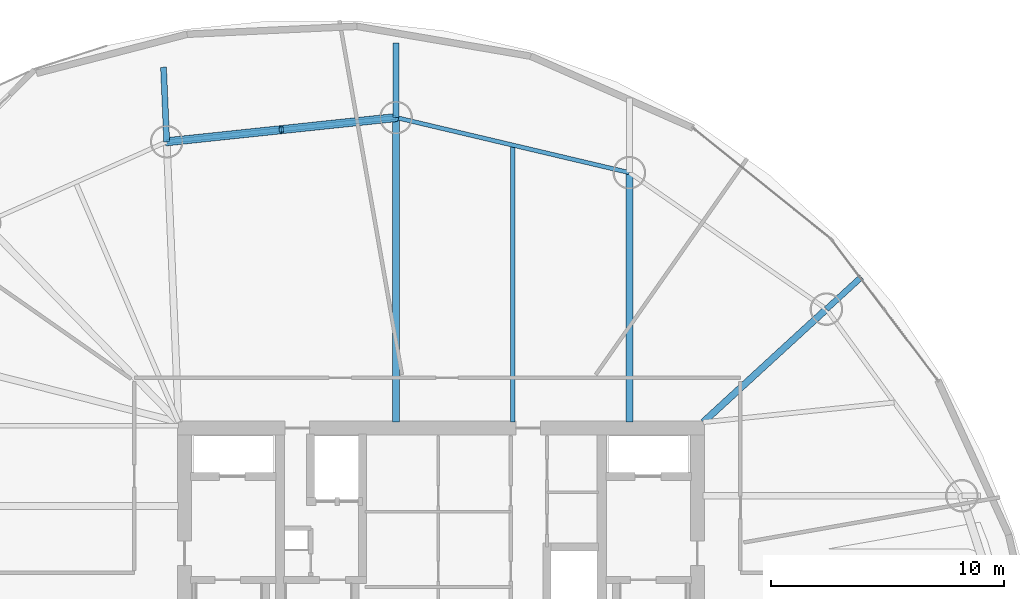
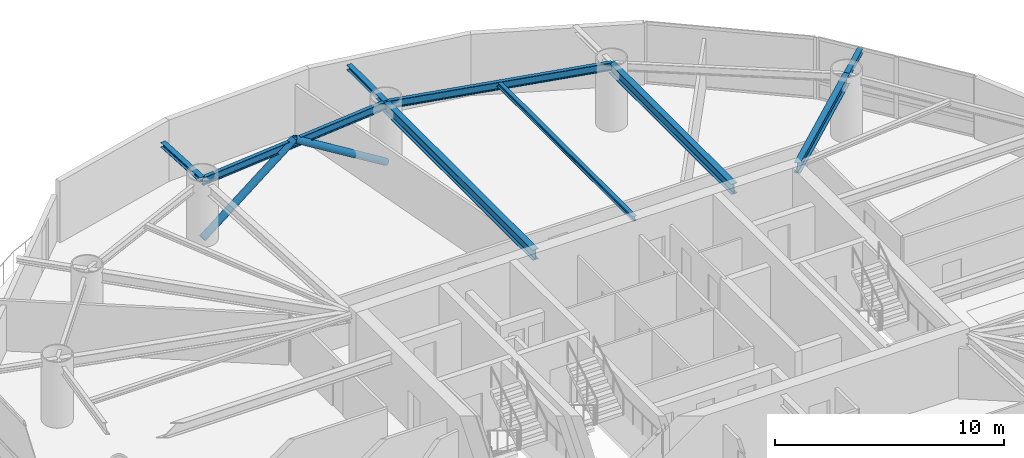
# One storey, part 12 of 20: 9 beams, 2 members.
"""IFC4 building model written with IfcOpenShell, lengths in metres."""

import ifcopenshell
import ifcopenshell.guid

model = None  # the IFC model being written
_history = None  # IfcOwnerHistory: only IFC2X3 demands one
_inside = {}  # id of a spatial element -> (the spatial element, [elements in it])
_under = {}  # id of a project, library or spatial element -> (it, [spatial elements below it])
_declared = {}  # id of a project -> (the project, [libraries it declares])
_typed = {}  # id of a type object -> (the type object, [elements of that type])
_made_of = {}  # id of a material, layer set ... -> (it, [elements and type objects made of it])


def new_model(schema):
    """Start an empty IFC model of exactly this schema.

    Asked for "IFC4X3", IfcOpenShell would pick the latest addendum, in which some entities
    have other attributes; the version numbers below select the first issue.
    IFC2X3 requires an IfcOwnerHistory on every rooted entity: one is made here for all.
    """
    global model, _history
    if schema == "IFC4X3":
        model = ifcopenshell.file(schema_version=(4, 3, 0, 0))
    else:
        model = ifcopenshell.file(schema=schema)
    _inside.clear()
    _under.clear()
    _declared.clear()
    _typed.clear()
    _made_of.clear()
    _history = None
    if model.schema == "IFC2X3":
        org = make("IfcOrganization", Name="unknown")
        user = make(
            "IfcPersonAndOrganization",
            ThePerson=make("IfcPerson", FamilyName="unknown"),
            TheOrganization=org,
        )
        app = make(
            "IfcApplication",
            ApplicationDeveloper=org,
            Version="unknown",
            ApplicationFullName="unknown",
            ApplicationIdentifier="unknown",
        )
        _history = make(
            "IfcOwnerHistory",
            OwningUser=user,
            OwningApplication=app,
            ChangeAction="ADDED",
            CreationDate=0,
        )
    return model


def make(cls, **values):
    """One entity of the class cls with the attributes given. An attribute that is None is left unset."""
    return model.create_entity(
        cls, **{name: value for name, value in values.items() if value is not None}
    )


def rooted(cls, **values):
    """An entity with a GlobalId (a new one), such as an element, a storey or a relation."""
    return make(cls, GlobalId=ifcopenshell.guid.new(), OwnerHistory=_history, **values)


def si_unit(unit_type, name, prefix=None):
    """IfcSIUnit, for example si_unit("LENGTHUNIT", "METRE", prefix="MILLI")."""
    return make("IfcSIUnit", UnitType=unit_type, Prefix=prefix, Name=name)


def assignment(units):
    """IfcUnitAssignment: the units of a project."""
    return None if units is None else make("IfcUnitAssignment", Units=units)


def point(xyz):
    """IfcCartesianPoint."""
    return None if xyz is None else make("IfcCartesianPoint", Coordinates=xyz)


def direction(xyz):
    """IfcDirection."""
    return None if xyz is None else make("IfcDirection", DirectionRatios=xyz)


def frame(location, z_axis=None, x_axis=None):
    """IfcAxis2Placement3D, a coordinate frame: its origin and axes. An axis left out is left unset."""
    return make(
        "IfcAxis2Placement3D",
        Location=point(location),
        Axis=direction(z_axis),
        RefDirection=direction(x_axis),
    )


def frame_2d(location, x_axis=None):
    """IfcAxis2Placement2D, a coordinate frame in the plane: its origin and x axis."""
    return make(
        "IfcAxis2Placement2D", Location=point(location), RefDirection=direction(x_axis)
    )


def origin():
    """The frame at (0, 0, 0) with its axes left unset."""
    return frame((0.0, 0.0, 0.0))


def origin_2d():
    """The frame at (0, 0) in the plane with its x axis left unset."""
    return frame_2d((0.0, 0.0))


def place(relative_to, where):
    """IfcLocalPlacement: puts the frame where relative to a parent placement (None: the world)."""
    return make(
        "IfcLocalPlacement", PlacementRelTo=relative_to, RelativePlacement=where
    )


def context(
    kind, dimensions, precision=None, world=None, true_north=None, identifier=None
):
    """IfcGeometricRepresentationContext, for example the 3D "Model" context."""
    return make(
        "IfcGeometricRepresentationContext",
        ContextIdentifier=identifier,
        ContextType=kind,
        CoordinateSpaceDimension=dimensions,
        Precision=precision,
        WorldCoordinateSystem=world,
        TrueNorth=true_north,
    )


def subcontext(parent, identifier, kind, view, scale=None):
    """IfcGeometricRepresentationSubContext, for example "Body" below "Model"."""
    return make(
        "IfcGeometricRepresentationSubContext",
        ContextIdentifier=identifier,
        ContextType=kind,
        ParentContext=parent,
        TargetScale=scale,
        TargetView=view,
    )


def project(units=None, contexts=None):
    """IfcProject with its units and contexts."""
    return rooted(
        "IfcProject",
        Name="project",
        RepresentationContexts=contexts,
        UnitsInContext=assignment(units),
    )


def spatial(cls, under=None, at=None, **own):
    """A site, building, storey or space (cls), placed at a placement, below another one or the project."""
    s = rooted(cls, ObjectPlacement=at, **own)
    if under is not None:
        _under.setdefault(under.id(), (under, []))[1].append(s)
    return s


def profile(cls, at=None, kind="AREA", **sizes):
    """A parametric profile (cls). Its sizes go by their IFC names, for example OverallWidth=200.0."""
    return make(cls, ProfileType=kind, Position=at, **sizes)


def hollow_circle(**sizes):
    """IfcCircleHollowProfileDef."""
    return profile("IfcCircleHollowProfileDef", **sizes)


def i_section(**sizes):
    """IfcIShapeProfileDef."""
    return profile("IfcIShapeProfileDef", **sizes)


def extrude(swept, where, along, depth):
    """IfcExtrudedAreaSolid: the profile swept, set in the frame where, extruded along a direction by depth."""
    return make(
        "IfcExtrudedAreaSolid",
        SweptArea=swept,
        Position=where,
        ExtrudedDirection=direction(along),
        Depth=depth,
    )


def shape(context_of_items, identifier, shape_type, items):
    """IfcShapeRepresentation: the items that make up one representation, for example the "Body"."""
    return make(
        "IfcShapeRepresentation",
        ContextOfItems=context_of_items,
        RepresentationIdentifier=identifier,
        RepresentationType=shape_type,
        Items=items,
    )


def material(Name=None, Category=None):
    """IfcMaterial."""
    return make("IfcMaterial", Name=Name, Category=Category)


def material_profile(
    of_material, cross_section, Name=None, Category=None, Priority=None
):
    """IfcMaterialProfile: a cross section and its material."""
    return make(
        "IfcMaterialProfile",
        Name=Name,
        Material=of_material,
        Profile=cross_section,
        Priority=Priority,
        Category=Category,
    )


def profile_set(profiles, Name=None, composite=None):
    """IfcMaterialProfileSet."""
    return make(
        "IfcMaterialProfileSet",
        Name=Name,
        MaterialProfiles=profiles,
        CompositeProfile=composite,
    )


def made_of(thing, what):
    """Note that an element or type object is made of a material, layer set ...; save() writes the relation."""
    if what is not None:
        _made_of.setdefault(what.id(), (what, []))[1].append(thing)
    return thing


def type_object(cls, material=None, **own):
    """A type object (cls), such as IfcWallType, which elements share."""
    return made_of(rooted(cls, **own), material)


def element(
    cls,
    number,
    at=None,
    inside=None,
    cuts=None,
    type_object=None,
    material=None,
    context=None,
    identifier="Body",
    shape_type=None,
    held_by="IfcProductDefinitionShape",
    body=None,
    shapes=None,
    **own,
):
    """One element of the class cls, such as IfcWall. Its Tag is "e" and its number.

    at: its placement. inside: the storey or other place that contains it. cuts: it is an
    opening in that element (IfcRelVoidsElement). A single representation is given by context,
    identifier, shape_type and body (its items); several are given by shapes. held_by: the class
    of the entity that holds the representations. save() writes the other relations.
    """
    e = rooted(cls, Tag="e%d" % number, ObjectPlacement=at, **own)
    if body is not None:
        shapes = [shape(context, identifier, shape_type, body)]
    if shapes is not None:
        e.Representation = make(held_by, Representations=shapes)
    if inside is not None:
        _inside.setdefault(inside.id(), (inside, []))[1].append(e)
    if cuts is not None:
        rooted(
            "IfcRelVoidsElement", RelatingBuildingElement=cuts, RelatedOpeningElement=e
        )
    if type_object is not None:
        _typed.setdefault(type_object.id(), (type_object, []))[1].append(e)
    return made_of(e, material)


def aggregate(whole, parts):
    """IfcRelAggregates: a whole, such as a stair, and the parts it consists of."""
    return rooted("IfcRelAggregates", RelatingObject=whole, RelatedObjects=parts)


def save(model, path):
    """Write the relations noted so far, then the file.

    IfcRelAggregates (storeys below a building ...), IfcRelContainedInSpatialStructure (elements
    in a storey), IfcRelDefinesByType, IfcRelAssociatesMaterial and IfcRelDeclares: one each for
    every whole, place, type object, material and project.
    """
    for whole, parts in _under.values():
        aggregate(whole, parts)
    for where, things in _inside.values():
        rooted(
            "IfcRelContainedInSpatialStructure",
            RelatedElements=things,
            RelatingStructure=where,
        )
    for kind, things in _typed.values():
        rooted("IfcRelDefinesByType", RelatedObjects=things, RelatingType=kind)
    for what, things in _made_of.values():
        rooted("IfcRelAssociatesMaterial", RelatedObjects=things, RelatingMaterial=what)
    for by, libraries in _declared.values():
        rooted("IfcRelDeclares", RelatingContext=by, RelatedDefinitions=libraries)
    model.write(path)


model = new_model("IFC4")

# Units and contexts
model_context = context("Model", 3, precision=1e-05, world=origin(), true_north=direction((0.0, 1.0)))
body_context = subcontext(model_context, "Body", "Model", "MODEL_VIEW")
ifc_project = project(units=[si_unit("LENGTHUNIT", "METRE"), si_unit("AREAUNIT", "SQUARE_METRE"), si_unit("VOLUMEUNIT", "CUBIC_METRE"), si_unit("PLANEANGLEUNIT", "RADIAN"), si_unit("MASSUNIT", "GRAM", prefix="KILO")], contexts=[model_context])

# Site, building, storey
site_placement = place(None, origin())
site = spatial("IfcSite", under=ifc_project, at=site_placement, CompositionType="ELEMENT")
building_placement = place(site_placement, origin())
building = spatial("IfcBuilding", under=site, at=building_placement, Name="Bramvorn Convention Spire", CompositionType="ELEMENT")
storey_placement = place(building_placement, frame((0.0, 0.0, 155.300048828125)))
storey = spatial("IfcBuildingStorey", under=building, at=storey_placement, Name="L39", CompositionType="ELEMENT", Elevation=155.300048828125)

# Beams
ifc_material = material(Name="Steel CSA G40.21 Grade 350 (350W)", Category="steel")
ifc_material_profile_1 = material_profile(ifc_material, i_section(OverallWidth=0.201904296875, OverallDepth=0.2470703125, WebThickness=0.00732421875, FlangeThickness=0.010986328125, FilletRadius=0.011962890625, at=origin_2d()))
ifc_profile_set_1 = profile_set([ifc_material_profile_1], Name="Steel CSA G40.21 Grade 350 (350W) - W250X49")
beam_type_1 = type_object("IfcBeamType", Name="BM-W250X49", PredefinedType="JOIST", material=ifc_profile_set_1)
beam_1_placement = place(storey_placement, frame((41.079345703125, 33.449951171875, 3.136474609375), z_axis=(0.0, 1.0, 0.0), x_axis=(-1.0, 0.0, 0.0)))
element("IfcBeam", 1, at=beam_1_placement, inside=storey, type_object=beam_type_1, Name="L39 composite floor joist 05", PredefinedType="JOIST", context=body_context, shape_type="SweptSolid", body=[
    extrude(i_section(OverallWidth=0.201904296875, OverallDepth=0.2470703125, WebThickness=0.00732421875, FlangeThickness=0.010986328125, FilletRadius=0.011962890625, at=origin_2d()), origin(), (0.0, 0.0, 1.0), 11.8857421875),
])
ifc_material_profile_2 = material_profile(ifc_material, i_section(OverallWidth=0.25390625, OverallDepth=0.2529296875, WebThickness=0.008544921875, FlangeThickness=0.01416015625, FilletRadius=0.011962890625, at=origin_2d()))
ifc_profile_set_2 = profile_set([ifc_material_profile_2], Name="Steel CSA G40.21 Grade 350 (350W) - W250X73")
beam_type_2 = type_object("IfcBeamType", Name="BM-W250X73", PredefinedType="BEAM", material=ifc_profile_set_2)
beam_2_placement = place(storey_placement, frame((54.534912109375, 38.299072265625, 3.133544921875), z_axis=(0.736865798962, 0.676039047926, 0.0), x_axis=(-0.676039047926, 0.736865798962, 0.0)))
element("IfcBeam", 2, at=beam_2_placement, inside=storey, type_object=beam_type_2, Name="L39 slab-edge cantilever tip beam MC04", PredefinedType="BEAM", context=body_context, shape_type="SweptSolid", body=[
    extrude(i_section(OverallWidth=0.25390625, OverallDepth=0.2529296875, WebThickness=0.008544921875, FlangeThickness=0.01416015625, FilletRadius=0.011962890625, at=origin_2d()), origin(), (0.0, 0.0, 1.0), 2.0390625),
])
for number, where, z_axis, x_axis, name in (
    (3, (36.075927734375, 46.517333984375, 3.133544921875), (0.0, 1.0, 0.0), (-1.0, 0.0, 0.0), "L39 slab-edge cantilever tip beam MC06"),
    (4, (26.23828125, 45.478759765625, 3.133544921875), (-0.042496892375, 0.999096599003, 0.0), (-0.999096599003, -0.042496892375, 0.0), "L39 slab-edge cantilever tip beam MC07"),
):
    element("IfcBeam", number, at=place(storey_placement, frame(where, z_axis=z_axis, x_axis=x_axis)), inside=storey, type_object=beam_type_2, Name=name, PredefinedType="BEAM", context=body_context, shape_type="SweptSolid", body=[
        extrude(i_section(OverallWidth=0.25390625, OverallDepth=0.2529296875, WebThickness=0.008544921875, FlangeThickness=0.01416015625, FilletRadius=0.011962890625, at=origin_2d()), origin(), (0.0, 0.0, 1.0), 3.199951171875),
    ])
ifc_material_profile_3 = material_profile(ifc_material, i_section(OverallWidth=0.180908203125, OverallDepth=0.4169921875, WebThickness=0.010986328125, FlangeThickness=0.018310546875, FilletRadius=0.01611328125, at=origin_2d()))
ifc_profile_set_3 = profile_set([ifc_material_profile_3], Name="Steel CSA G40.21 Grade 350 (350W) - W410X85")
beam_type_3 = type_object("IfcBeamType", Name="BM-W410X85", PredefinedType="JOIST", material=ifc_profile_set_3)
beam_3_placement = place(storey_placement, frame((46.082763671875, 44.154052734375, 3.051513671875), z_axis=(-0.97322750491, 0.229843911572, 0.0), x_axis=(-0.229843911572, -0.97322750491, 0.0)))
element("IfcBeam", 5, at=beam_3_placement, inside=storey, type_object=beam_type_3, Name="L39 mega-column ring beam 05", PredefinedType="JOIST", context=body_context, shape_type="SweptSolid", body=[
    extrude(i_section(OverallWidth=0.180908203125, OverallDepth=0.4169921875, WebThickness=0.010986328125, FlangeThickness=0.018310546875, FilletRadius=0.01611328125, at=origin_2d()), origin(), (0.0, 0.0, 1.0), 10.2822265625),
])
beam_4_placement = place(storey_placement, frame((36.075927734375, 46.517333984375, 3.051513671875), z_axis=(-0.994473491975, -0.104987969596, 0.0), x_axis=(0.104987969596, -0.994473491975, 0.0)))
element("IfcBeam", 6, at=beam_4_placement, inside=storey, type_object=beam_type_3, Name="L39 mega-column ring beam 06", PredefinedType="JOIST", context=body_context, shape_type="SweptSolid", body=[
    extrude(i_section(OverallWidth=0.180908203125, OverallDepth=0.4169921875, WebThickness=0.010986328125, FlangeThickness=0.018310546875, FilletRadius=0.01611328125, at=origin_2d()), origin(), (0.0, 0.0, 1.0), 9.892333984375),
])
ifc_material_profile_4 = material_profile(ifc_material, i_section(OverallWidth=0.2919921875, OverallDepth=0.551025390625, WebThickness=0.01513671875, FlangeThickness=0.0244140625, FilletRadius=0.01904296875, at=origin_2d()))
ifc_profile_set_4 = profile_set([ifc_material_profile_4], Name="Steel CSA G40.21 Grade 350 (350W) - W530X182")
beam_type_4 = type_object("IfcBeamType", Name="BM-W530X182", PredefinedType="BEAM", material=ifc_profile_set_4)
beam_5_placement = place(storey_placement, frame((49.25, 33.449951171875, 2.984375), z_axis=(0.736833323746, 0.676074443399, 0.0), x_axis=(-0.676074443399, 0.736833323746, 0.0)))
element("IfcBeam", 7, at=beam_5_placement, inside=storey, type_object=beam_type_4, Name="L39 radial floor girder MC04", PredefinedType="BEAM", context=body_context, shape_type="SweptSolid", body=[
    extrude(i_section(OverallWidth=0.2919921875, OverallDepth=0.551025390625, WebThickness=0.01513671875, FlangeThickness=0.0244140625, FilletRadius=0.01904296875, at=origin_2d()), origin(), (0.0, 0.0, 1.0), 7.17236328125),
])
beam_6_placement = place(storey_placement, frame((46.082763671875, 33.449951171875, 2.984375), z_axis=(0.0, 1.0, 0.0), x_axis=(-1.0, 0.0, 0.0)))
element("IfcBeam", 8, at=beam_6_placement, inside=storey, type_object=beam_type_4, Name="L39 radial floor girder MC05", PredefinedType="BEAM", context=body_context, shape_type="SweptSolid", body=[
    extrude(i_section(OverallWidth=0.2919921875, OverallDepth=0.551025390625, WebThickness=0.01513671875, FlangeThickness=0.0244140625, FilletRadius=0.01904296875, at=origin_2d()), origin(), (0.0, 0.0, 1.0), 10.7041015625),
])
beam_7_placement = place(storey_placement, frame((36.075927734375, 33.449951171875, 2.984375), z_axis=(0.0, 1.0, 0.0), x_axis=(-1.0, 0.0, 0.0)))
element("IfcBeam", 9, at=beam_7_placement, inside=storey, type_object=beam_type_4, Name="L39 radial floor girder MC06", PredefinedType="BEAM", context=body_context, shape_type="SweptSolid", body=[
    extrude(i_section(OverallWidth=0.2919921875, OverallDepth=0.551025390625, WebThickness=0.01513671875, FlangeThickness=0.0244140625, FilletRadius=0.01904296875, at=origin_2d()), origin(), (0.0, 0.0, 1.0), 13.0673828125),
])

# Members
ifc_material_profile_5 = material_profile(ifc_material, hollow_circle(Radius=0.177734375, WallThickness=0.015869140625, at=origin_2d()))
ifc_profile_set_5 = profile_set([ifc_material_profile_5], Name="Steel CSA G40.21 Grade 350 (350W) - CHS356X16")
member_type = type_object("IfcMemberType", Name="MBR-CHS356X16", PredefinedType="BRACE", material=ifc_profile_set_5)
member_1_placement = place(storey_placement, frame((36.075927734375, 46.517333984375, 0.0), z_axis=(-0.830346972509, -0.087658725954, 0.550308870553), x_axis=(0.104985392894, -0.994473763997, 0.0)))
element("IfcMember", 10, at=member_1_placement, inside=storey, type_object=member_type, Name="L39 perimeter Gothic lancet brace 6A", PredefinedType="BRACE", context=body_context, shape_type="SweptSolid", body=[
    extrude(hollow_circle(Radius=0.177734375, WallThickness=0.015869140625, at=origin_2d()), origin(), (0.0, 0.0, 1.0), 5.924072265625),
])
member_2_placement = place(storey_placement, frame((26.23828125, 45.478759765625, 0.0), z_axis=(0.830334174424, 0.087661725766, 0.550327702937), x_axis=(-0.104990546424, 0.994473219932, 0.0)))
element("IfcMember", 11, at=member_2_placement, inside=storey, type_object=member_type, Name="L39 perimeter Gothic lancet brace 6B", PredefinedType="BRACE", context=body_context, shape_type="SweptSolid", body=[
    extrude(hollow_circle(Radius=0.177734375, WallThickness=0.015869140625, at=origin_2d()), origin(), (0.0, 0.0, 1.0), 5.923828125),
])

save(model, "model.ifc")
